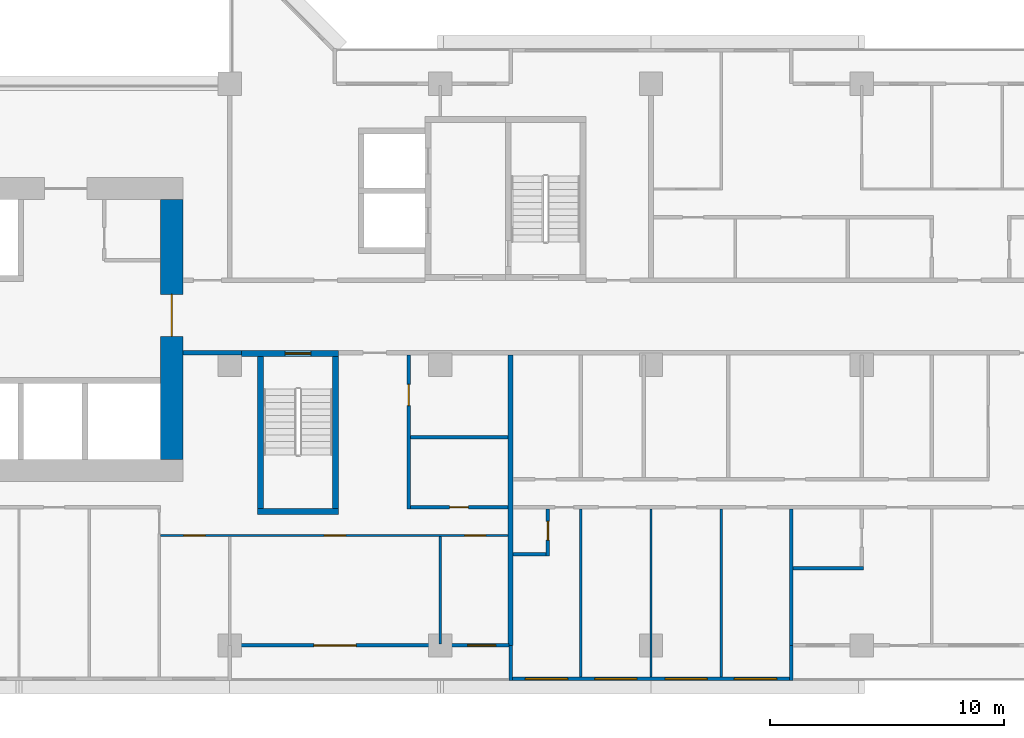
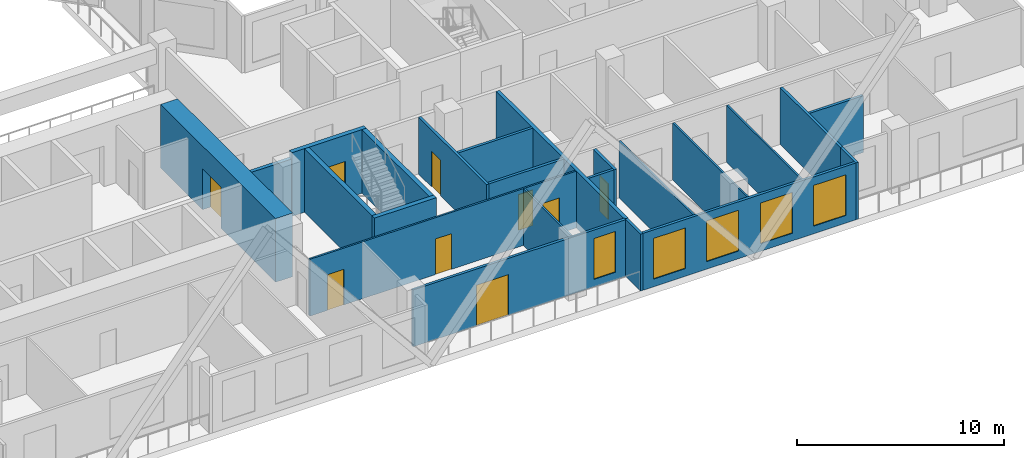
# One storey, part 6 of 15: 23 walls, 9 doors, 5 windows, 14 openings.
"""IFC4 building model written with IfcOpenShell, lengths in metres."""

from ifc_helpers import new_model, si_unit, direction, frame, frame_2d, origin, place, context, subcontext, project, spatial, rectangle, extrude, material, layer, layer_set, type_object, element, fill, save


model = new_model("IFC4")

# Units and contexts
model_context = context("Model", 3, precision=1e-05, world=origin(), true_north=direction((0.0, 1.0)))
body_context = subcontext(model_context, "Body", "Model", "MODEL_VIEW")
ifc_project = project(units=[si_unit("LENGTHUNIT", "METRE"), si_unit("AREAUNIT", "SQUARE_METRE"), si_unit("VOLUMEUNIT", "CUBIC_METRE"), si_unit("PLANEANGLEUNIT", "RADIAN"), si_unit("MASSUNIT", "GRAM", prefix="KILO")], contexts=[model_context])

# Site, building, storey
site_placement = place(None, origin())
site = spatial("IfcSite", under=ifc_project, at=site_placement, CompositionType="ELEMENT")
building_placement = place(site_placement, origin())
building = spatial("IfcBuilding", under=site, at=building_placement, Name="Chenar Terraces", CompositionType="ELEMENT")
storey_placement = place(building_placement, frame((0.0, 0.0, 129.39990234375)))
storey = spatial("IfcBuildingStorey", under=building, at=storey_placement, Name="L30", CompositionType="ELEMENT", Elevation=129.39990234375)

# Wall
ifc_material_1 = material(Name="Concrete C70/85", Category="concrete")
ifc_layer_1 = layer(ifc_material_1, 0.25)
ifc_layer_set_1 = layer_set([ifc_layer_1], Name="Concrete C70/85")
wall_type_1 = type_object("IfcWallType", Name="Core wall 250 Concrete C70/85", PredefinedType="SHEAR", material=ifc_layer_set_1)
wall_1_placement = place(storey_placement, frame((37.199951171875, 5.72509765625, 0.0), z_axis=(0.0, 0.0, 1.0), x_axis=(1.0, 0.0, 0.0)))
element("IfcWall", 1, at=wall_1_placement, inside=storey, type_object=wall_type_1, Name="Core wall ST2_S L30", PredefinedType="SHEAR", context=body_context, shape_type="SweptSolid", body=[
    extrude(rectangle(XDim=3.449951171875, YDim=0.25, at=frame_2d((1.72509765625, 0.0))), origin(), (0.0, 0.0, 1.0), 3.75),
])

# Wall, opening, door
wall_2_placement = place(storey_placement, frame((36.5, 12.47509765625, 0.0), z_axis=(0.0, 0.0, 1.0), x_axis=(1.0, 0.0, 0.0)))
wall_2 = element("IfcWall", 2, at=wall_2_placement, inside=storey, type_object=wall_type_1, Name="Core wall ST2_N L30", PredefinedType="SHEAR", context=body_context, shape_type="SweptSolid", body=[
    extrude(rectangle(XDim=4.14990234375, YDim=0.25, at=frame_2d((2.074951171875, 0.0))), origin(), (0.0, 0.0, 1.0), 3.75),
])
opening_1_placement = place(wall_2_placement, frame((1.875, 0.0, 0.0)))
opening_1 = element("IfcOpeningElement", 3, at=opening_1_placement, cuts=wall_2, Name="Opening DL30-C7", PredefinedType="OPENING", context=body_context, shape_type="SweptSolid", body=[
    extrude(rectangle(XDim=1.10009765625, YDim=2.199951171875, at=frame_2d((0.550048828125, 1.10009765625))), frame((0.0, 0.135009765625, 0.0), z_axis=(0.0, -1.0, 0.0), x_axis=(1.0, 0.0, 0.0)), (0.0, 0.0, 1.0), 0.27001953125),
])
ifc_material_2 = material(Name="Steel-framed fire-resisting door leaf", Category="steel")
door_type_1 = type_object("IfcDoorType", Name="Stair fire door FD60 1100 x 2200", OperationType="SINGLE_SWING_LEFT", PredefinedType="DOOR", material=ifc_material_2)
door_1_placement = place(opening_1_placement, frame((1.10009765625, 0.0, 0.0), z_axis=(0.0, 0.0, 1.0), x_axis=(-1.0, 0.0, 0.0)))
door_1 = element("IfcDoor", 4, at=door_1_placement, inside=storey, type_object=door_type_1, Name="Stair door DL30-C7", OperationType="SINGLE_SWING_RIGHT", OverallHeight=2.199951171875, OverallWidth=1.10009765625, PredefinedType="DOOR", context=body_context, shape_type="SweptSolid", body=[
    extrude(rectangle(XDim=1.10009765625, YDim=2.199951171875, at=frame_2d((0.550048828125, 1.10009765625))), frame((0.0, 0.02490234375, 0.0), z_axis=(0.0, -1.0, 0.0), x_axis=(1.0, 0.0, 0.0)), (0.0, 0.0, 1.0), 0.050048828125),
])
fill(opening_1, door_1)

# Walls
for number, where, z_axis, x_axis, name in (
    (5, (37.324951171875, 5.85009765625, 0.0), (0.0, 0.0, 1.0), (0.0, 1.0, 0.0), "Core wall ST2_W L30"),
    (6, (40.52490234375, 5.85009765625, 0.0), (0.0, 0.0, 1.0), (0.0, 1.0, 0.0), "Core wall ST2_E L30"),
):
    element("IfcWall", number, at=place(storey_placement, frame(where, z_axis=z_axis, x_axis=x_axis)), inside=storey, type_object=wall_type_1, Name=name, PredefinedType="SHEAR", context=body_context, shape_type="SweptSolid", body=[
        extrude(rectangle(XDim=6.5, YDim=0.25, at=frame_2d((3.25, 0.0))), origin(), (0.0, 0.0, 1.0), 3.75),
    ])

# Wall, opening, door
ifc_material_3 = material(Name="Concrete C70/85", Category="concrete")
ifc_layer_2 = layer(ifc_material_3, 0.949951171875)
ifc_layer_set_2 = layer_set([ifc_layer_2], Name="Concrete C70/85")
wall_type_2 = type_object("IfcWallType", Name="Core wall 950 Concrete C70/85", PredefinedType="SHEAR", material=ifc_layer_set_2)
wall_3_placement = place(storey_placement, frame((33.52490234375, 7.949951171875, 0.0), z_axis=(0.0, 0.0, 1.0), x_axis=(0.0, 1.0, 0.0)))
wall_3 = element("IfcWall", 7, at=wall_3_placement, inside=storey, type_object=wall_type_2, Name="Core wall E L30", PredefinedType="SHEAR", context=body_context, shape_type="SweptSolid", body=[
    extrude(rectangle(XDim=11.10009765625, YDim=0.949951171875, at=frame_2d((5.550048828125, 0.0))), origin(), (0.0, 0.0, 1.0), 3.75),
])
opening_2_placement = place(wall_3_placement, frame((5.25, 0.0, 0.0)))
opening_2 = element("IfcOpeningElement", 8, at=opening_2_placement, cuts=wall_3, Name="Opening DL30-C1", PredefinedType="OPENING", context=body_context, shape_type="SweptSolid", body=[
    extrude(rectangle(XDim=1.800048828125, YDim=2.39990234375, at=frame_2d((0.89990234375, 1.199951171875))), frame((0.0, 0.48486328125, 0.0), z_axis=(0.0, -1.0, 0.0), x_axis=(1.0, 0.0, 0.0)), (0.0, 0.0, 1.0), 0.969970703125),
])
ifc_material_4 = material(Name="Steel-framed fire-resisting door leaf", Category="steel")
door_type_2 = type_object("IfcDoorType", Name="Core entrance double fire door FD60 1800 x 2400", OperationType="DOUBLE_DOOR_SINGLE_SWING", PredefinedType="DOOR", material=ifc_material_4)
door_2_placement = place(opening_2_placement, origin())
door_2 = element("IfcDoor", 9, at=door_2_placement, inside=storey, type_object=door_type_2, Name="Core door DL30-C1", OperationType="DOUBLE_DOOR_SINGLE_SWING", OverallHeight=2.39990234375, OverallWidth=1.800048828125, PredefinedType="DOOR", context=body_context, shape_type="SweptSolid", body=[
    extrude(rectangle(XDim=1.800048828125, YDim=2.39990234375, at=frame_2d((0.89990234375, 1.199951171875))), frame((0.0, 0.02490234375, 0.0), z_axis=(0.0, -1.0, 0.0), x_axis=(1.0, 0.0, 0.0)), (0.0, 0.0, 1.0), 0.050048828125),
])
fill(opening_2, door_2)

# Wall
ifc_material_5 = material(Name="Gypsum board on steel studs with fire boards", Category="steel")
ifc_layer_3 = layer(ifc_material_5, 0.199951171875)
ifc_layer_set_3 = layer_set([ifc_layer_3], Name="Gypsum board on steel studs with fire boards")
wall_type_3 = type_object("IfcWallType", Name="Corridor wall 200", PredefinedType="PARTITIONING", material=ifc_layer_set_3)
wall_4_placement = place(storey_placement, frame((34.0, 12.5, 0.0), z_axis=(0.0, 0.0, 1.0), x_axis=(1.0, 0.0, 0.0)))
element("IfcWall", 10, at=wall_4_placement, inside=storey, type_object=wall_type_3, Name="Partition L30-062", PredefinedType="PARTITIONING", context=body_context, shape_type="SweptSolid", body=[
    extrude(rectangle(XDim=2.5009765625, YDim=0.199951171875, at=frame_2d((1.25048828125, 0.0))), origin(), (0.0, 0.0, 1.0), 3.35009765625),
])

# Wall, openings, windows
ifc_material_6 = material(Name="Aluminium framed glazing", Category="aluminium")
ifc_layer_4 = layer(ifc_material_6, 0.14990234375)
ifc_layer_set_4 = layer_set([ifc_layer_4], Name="Aluminium framed glazing")
wall_type_4 = type_object("IfcWallType", Name="Glazed flush facade wall 150", PredefinedType="SOLIDWALL", material=ifc_layer_set_4)
wall_5_placement = place(storey_placement, frame((48.074951171875, -1.425048828125, 0.0), z_axis=(0.0, 0.0, 1.0), x_axis=(1.0, 0.0, 0.0)))
wall_5 = element("IfcWall", 11, at=wall_5_placement, inside=storey, type_object=wall_type_4, Name="Glazed flush facade wall", PredefinedType="SOLIDWALL", context=body_context, shape_type="SweptSolid", body=[
    extrude(rectangle(XDim=11.85009765625, YDim=0.14990234375, at=frame_2d((5.925048828125, 0.0))), origin(), (0.0, 0.0, 1.0), 3.35009765625),
])
opening_3_placement = place(wall_5_placement, frame((0.5625, 0.0, 0.449951171875)))
opening_3 = element("IfcOpeningElement", 12, at=opening_3_placement, cuts=wall_5, Name="Opening W180x240", PredefinedType="OPENING", context=body_context, shape_type="SweptSolid", body=[
    extrude(rectangle(XDim=1.800048828125, YDim=2.39990234375, at=frame_2d((0.89990234375, 1.199951171875))), frame((0.0, 0.0849609375, 0.0), z_axis=(0.0, -1.0, 0.0), x_axis=(1.0, 0.0, 0.0)), (0.0, 0.0, 1.0), 0.169921875),
])
opening_4_placement = place(wall_5_placement, frame((3.52490234375, 0.0, 0.449951171875)))
opening_4 = element("IfcOpeningElement", 13, at=opening_4_placement, cuts=wall_5, Name="Opening W180x240", PredefinedType="OPENING", context=body_context, shape_type="SweptSolid", body=[
    extrude(rectangle(XDim=1.800048828125, YDim=2.39990234375, at=frame_2d((0.89990234375, 1.199951171875))), frame((0.0, 0.0849609375, 0.0), z_axis=(0.0, -1.0, 0.0), x_axis=(1.0, 0.0, 0.0)), (0.0, 0.0, 1.0), 0.169921875),
])
opening_5_placement = place(wall_5_placement, frame((6.52490234375, 0.0, 0.449951171875)))
opening_5 = element("IfcOpeningElement", 14, at=opening_5_placement, cuts=wall_5, Name="Opening W180x240", PredefinedType="OPENING", context=body_context, shape_type="SweptSolid", body=[
    extrude(rectangle(XDim=1.800048828125, YDim=2.39990234375, at=frame_2d((0.89990234375, 1.199951171875))), frame((0.0, 0.0849609375, 0.0), z_axis=(0.0, -1.0, 0.0), x_axis=(1.0, 0.0, 0.0)), (0.0, 0.0, 1.0), 0.169921875),
])
opening_6_placement = place(wall_5_placement, frame((9.487548828125, 0.0, 0.449951171875)))
opening_6 = element("IfcOpeningElement", 15, at=opening_6_placement, cuts=wall_5, Name="Opening W180x240", PredefinedType="OPENING", context=body_context, shape_type="SweptSolid", body=[
    extrude(rectangle(XDim=1.800048828125, YDim=2.39990234375, at=frame_2d((0.89990234375, 1.199951171875))), frame((0.0, 0.0849609375, 0.0), z_axis=(0.0, -1.0, 0.0), x_axis=(1.0, 0.0, 0.0)), (0.0, 0.0, 1.0), 0.169921875),
])
ifc_material_7 = material(Name="Low emissivity double glazing, aluminium frame", Category="aluminium")
window_type_1 = type_object("IfcWindowType", Name="Fixed light 1800 x 2400", PartitioningType="SINGLE_PANEL", PredefinedType="WINDOW", material=ifc_material_7)
window_1_placement = place(opening_3_placement, origin())
window_1 = element("IfcWindow", 16, at=window_1_placement, inside=storey, type_object=window_type_1, Name="Window", OverallHeight=2.39990234375, OverallWidth=1.800048828125, PartitioningType="SINGLE_PANEL", PredefinedType="WINDOW", context=body_context, shape_type="SweptSolid", body=[
    extrude(rectangle(XDim=1.800048828125, YDim=2.39990234375, at=frame_2d((0.89990234375, 1.199951171875))), frame((0.0, 0.030029296875, 0.0), z_axis=(0.0, -1.0, 0.0), x_axis=(1.0, 0.0, 0.0)), (0.0, 0.0, 1.0), 0.06005859375),
])
fill(opening_3, window_1)
window_2_placement = place(opening_4_placement, origin())
window_2 = element("IfcWindow", 17, at=window_2_placement, inside=storey, type_object=window_type_1, Name="Window", OverallHeight=2.39990234375, OverallWidth=1.800048828125, PartitioningType="SINGLE_PANEL", PredefinedType="WINDOW", context=body_context, shape_type="SweptSolid", body=[
    extrude(rectangle(XDim=1.800048828125, YDim=2.39990234375, at=frame_2d((0.89990234375, 1.199951171875))), frame((0.0, 0.030029296875, 0.0), z_axis=(0.0, -1.0, 0.0), x_axis=(1.0, 0.0, 0.0)), (0.0, 0.0, 1.0), 0.06005859375),
])
fill(opening_4, window_2)
window_3_placement = place(opening_5_placement, origin())
window_3 = element("IfcWindow", 18, at=window_3_placement, inside=storey, type_object=window_type_1, Name="Window", OverallHeight=2.39990234375, OverallWidth=1.800048828125, PartitioningType="SINGLE_PANEL", PredefinedType="WINDOW", context=body_context, shape_type="SweptSolid", body=[
    extrude(rectangle(XDim=1.800048828125, YDim=2.39990234375, at=frame_2d((0.89990234375, 1.199951171875))), frame((0.0, 0.030029296875, 0.0), z_axis=(0.0, -1.0, 0.0), x_axis=(1.0, 0.0, 0.0)), (0.0, 0.0, 1.0), 0.06005859375),
])
fill(opening_5, window_3)
window_4_placement = place(opening_6_placement, origin())
window_4 = element("IfcWindow", 19, at=window_4_placement, inside=storey, type_object=window_type_1, Name="Window", OverallHeight=2.39990234375, OverallWidth=1.800048828125, PartitioningType="SINGLE_PANEL", PredefinedType="WINDOW", context=body_context, shape_type="SweptSolid", body=[
    extrude(rectangle(XDim=1.800048828125, YDim=2.39990234375, at=frame_2d((0.89990234375, 1.199951171875))), frame((0.0, 0.030029296875, 0.0), z_axis=(0.0, -1.0, 0.0), x_axis=(1.0, 0.0, 0.0)), (0.0, 0.0, 1.0), 0.06005859375),
])
fill(opening_6, window_4)

# Wall, openings, window, door
ifc_material_8 = material(Name="Aluminium framed glazing", Category="aluminium")
ifc_layer_5 = layer(ifc_material_8, 0.14990234375)
ifc_layer_set_5 = layer_set([ifc_layer_5], Name="Aluminium framed glazing")
wall_type_5 = type_object("IfcWallType", Name="Glazed loggia back wall 150", PredefinedType="SOLIDWALL", material=ifc_layer_set_5)
wall_6_placement = place(storey_placement, frame((36.074951171875, 0.0, 0.0), z_axis=(0.0, 0.0, 1.0), x_axis=(1.0, 0.0, 0.0)))
wall_6 = element("IfcWall", 20, at=wall_6_placement, inside=storey, type_object=wall_type_5, Name="Glazed loggia back wall", PredefinedType="SOLIDWALL", context=body_context, shape_type="SweptSolid", body=[
    extrude(rectangle(XDim=11.85009765625, YDim=0.14990234375, at=frame_2d((5.925048828125, 0.0))), origin(), (0.0, 0.0, 1.0), 3.35009765625),
])
opening_7_placement = place(wall_6_placement, frame((3.52490234375, 0.0, 0.0)))
opening_7 = element("IfcOpeningElement", 21, at=opening_7_placement, cuts=wall_6, Name="Opening DL30-G6", PredefinedType="OPENING", context=body_context, shape_type="SweptSolid", body=[
    extrude(rectangle(XDim=1.800048828125, YDim=2.39990234375, at=frame_2d((0.89990234375, 1.199951171875))), frame((0.0, 0.0849609375, 0.0), z_axis=(0.0, -1.0, 0.0), x_axis=(1.0, 0.0, 0.0)), (0.0, 0.0, 1.0), 0.169921875),
])
opening_8_placement = place(wall_6_placement, frame((10.08740234375, 0.0, 0.449951171875)))
opening_8 = element("IfcOpeningElement", 22, at=opening_8_placement, cuts=wall_6, Name="Opening W120x240", PredefinedType="OPENING", context=body_context, shape_type="SweptSolid", body=[
    extrude(rectangle(XDim=1.199951171875, YDim=2.39990234375, at=frame_2d((0.60009765625, 1.199951171875))), frame((0.0, 0.0849609375, 0.0), z_axis=(0.0, -1.0, 0.0), x_axis=(1.0, 0.0, 0.0)), (0.0, 0.0, 1.0), 0.169921875),
])
ifc_material_9 = material(Name="Low emissivity double glazing, aluminium frame", Category="aluminium")
window_type_2 = type_object("IfcWindowType", Name="Fixed light 1200 x 2400", PartitioningType="SINGLE_PANEL", PredefinedType="WINDOW", material=ifc_material_9)
window_5_placement = place(opening_8_placement, origin())
window_5 = element("IfcWindow", 23, at=window_5_placement, inside=storey, type_object=window_type_2, Name="Window", OverallHeight=2.39990234375, OverallWidth=1.199951171875, PartitioningType="SINGLE_PANEL", PredefinedType="WINDOW", context=body_context, shape_type="SweptSolid", body=[
    extrude(rectangle(XDim=1.199951171875, YDim=2.39990234375, at=frame_2d((0.60009765625, 1.199951171875))), frame((0.0, 0.030029296875, 0.0), z_axis=(0.0, -1.0, 0.0), x_axis=(1.0, 0.0, 0.0)), (0.0, 0.0, 1.0), 0.06005859375),
])
fill(opening_8, window_5)
ifc_material_10 = material(Name="Low emissivity double glazing, aluminium frame", Category="aluminium")
door_type_3 = type_object("IfcDoorType", Name="Loggia glazed double door 1800 x 2400", OperationType="DOUBLE_DOOR_SINGLE_SWING", PredefinedType="DOOR", material=ifc_material_10)
door_3_placement = place(opening_7_placement, frame((1.800048828125, 0.0, 0.0), z_axis=(0.0, 0.0, 1.0), x_axis=(-1.0, 0.0, 0.0)))
door_3 = element("IfcDoor", 24, at=door_3_placement, inside=storey, type_object=door_type_3, Name="Loggia glazed door", OperationType="DOUBLE_DOOR_SINGLE_SWING", OverallHeight=2.39990234375, OverallWidth=1.800048828125, PredefinedType="DOOR", context=body_context, shape_type="SweptSolid", body=[
    extrude(rectangle(XDim=1.800048828125, YDim=2.39990234375, at=frame_2d((0.89990234375, 1.199951171875))), frame((0.0, 0.02490234375, 0.0), z_axis=(0.0, -1.0, 0.0), x_axis=(1.0, 0.0, 0.0)), (0.0, 0.0, 1.0), 0.050048828125),
])
fill(opening_7, door_3)

# Wall, openings, doors
ifc_material_11 = material(Name="Gypsum board on steel studs", Category="steel")
ifc_layer_6 = layer(ifc_material_11, 0.10009765625)
ifc_layer_set_6 = layer_set([ifc_layer_6], Name="Gypsum board on steel studs")
wall_type_6 = type_object("IfcWallType", Name="Gypsum partition 100", PredefinedType="PARTITIONING", material=ifc_layer_set_6)
wall_7_placement = place(storey_placement, frame((33.050048828125, 4.699951171875, 0.0), z_axis=(0.0, 0.0, 1.0), x_axis=(1.0, 0.0, 0.0)))
wall_7 = element("IfcWall", 25, at=wall_7_placement, inside=storey, type_object=wall_type_6, Name="Partition L30-061", PredefinedType="PARTITIONING", context=body_context, shape_type="SweptSolid", body=[
    extrude(rectangle(XDim=14.849853515625, YDim=0.10009765625, at=frame_2d((7.4248046875, 0.0))), origin(), (0.0, 0.0, 1.0), 3.35009765625),
])
opening_9_placement = place(wall_7_placement, frame((1.0, 0.0, 0.0)))
opening_9 = element("IfcOpeningElement", 26, at=opening_9_placement, cuts=wall_7, Name="Opening DL30-58", PredefinedType="OPENING", context=body_context, shape_type="SweptSolid", body=[
    extrude(rectangle(XDim=0.89990234375, YDim=2.10009765625, at=frame_2d((0.449951171875, 1.050048828125))), frame((0.0, 0.06005859375, 0.0), z_axis=(0.0, -1.0, 0.0), x_axis=(1.0, 0.0, 0.0)), (0.0, 0.0, 1.0), 0.1201171875),
])
opening_10_placement = place(wall_7_placement, frame((13.0, 0.0, 0.0)))
opening_10 = element("IfcOpeningElement", 27, at=opening_10_placement, cuts=wall_7, Name="Opening DL30-59", PredefinedType="OPENING", context=body_context, shape_type="SweptSolid", body=[
    extrude(rectangle(XDim=0.89990234375, YDim=2.10009765625, at=frame_2d((0.449951171875, 1.050048828125))), frame((0.0, 0.06005859375, 0.0), z_axis=(0.0, -1.0, 0.0), x_axis=(1.0, 0.0, 0.0)), (0.0, 0.0, 1.0), 0.1201171875),
])
opening_11_placement = place(wall_7_placement, frame((7.0, 0.0, 0.0)))
opening_11 = element("IfcOpeningElement", 28, at=opening_11_placement, cuts=wall_7, Name="Opening DL30-67", PredefinedType="OPENING", context=body_context, shape_type="SweptSolid", body=[
    extrude(rectangle(XDim=0.89990234375, YDim=2.10009765625, at=frame_2d((0.449951171875, 1.050048828125))), frame((0.0, 0.06005859375, 0.0), z_axis=(0.0, -1.0, 0.0), x_axis=(1.0, 0.0, 0.0)), (0.0, 0.0, 1.0), 0.1201171875),
])
ifc_material_12 = material(Name="Veneered timber door leaf", Category="wood")
door_type_4 = type_object("IfcDoorType", Name="Door 900 x 2100", OperationType="SINGLE_SWING_LEFT", PredefinedType="DOOR", material=ifc_material_12)
door_4_placement = place(opening_9_placement, frame((0.89990234375, 0.0, 0.0), z_axis=(0.0, 0.0, 1.0), x_axis=(-1.0, 0.0, 0.0)))
door_4 = element("IfcDoor", 29, at=door_4_placement, inside=storey, type_object=door_type_4, Name="Door DL30-58", OperationType="SINGLE_SWING_LEFT", OverallHeight=2.10009765625, OverallWidth=0.89990234375, PredefinedType="DOOR", context=body_context, shape_type="SweptSolid", body=[
    extrude(rectangle(XDim=0.89990234375, YDim=2.10009765625, at=frame_2d((0.449951171875, 1.050048828125))), frame((0.0, 0.02490234375, 0.0), z_axis=(0.0, -1.0, 0.0), x_axis=(1.0, 0.0, 0.0)), (0.0, 0.0, 1.0), 0.050048828125),
])
fill(opening_9, door_4)
door_5_placement = place(opening_10_placement, frame((0.89990234375, 0.0, 0.0), z_axis=(0.0, 0.0, 1.0), x_axis=(-1.0, 0.0, 0.0)))
door_5 = element("IfcDoor", 30, at=door_5_placement, inside=storey, type_object=door_type_4, Name="Door DL30-59", OperationType="SINGLE_SWING_LEFT", OverallHeight=2.10009765625, OverallWidth=0.89990234375, PredefinedType="DOOR", context=body_context, shape_type="SweptSolid", body=[
    extrude(rectangle(XDim=0.89990234375, YDim=2.10009765625, at=frame_2d((0.449951171875, 1.050048828125))), frame((0.0, 0.02490234375, 0.0), z_axis=(0.0, -1.0, 0.0), x_axis=(1.0, 0.0, 0.0)), (0.0, 0.0, 1.0), 0.050048828125),
])
fill(opening_10, door_5)
door_6_placement = place(opening_11_placement, frame((0.89990234375, 0.0, 0.0), z_axis=(0.0, 0.0, 1.0), x_axis=(-1.0, 0.0, 0.0)))
door_6 = element("IfcDoor", 31, at=door_6_placement, inside=storey, type_object=door_type_4, Name="Door DL30-67", OperationType="SINGLE_SWING_LEFT", OverallHeight=2.10009765625, OverallWidth=0.89990234375, PredefinedType="DOOR", context=body_context, shape_type="SweptSolid", body=[
    extrude(rectangle(XDim=0.89990234375, YDim=2.10009765625, at=frame_2d((0.449951171875, 1.050048828125))), frame((0.0, 0.02490234375, 0.0), z_axis=(0.0, -1.0, 0.0), x_axis=(1.0, 0.0, 0.0)), (0.0, 0.0, 1.0), 0.050048828125),
])
fill(opening_11, door_6)

# Walls
wall_8_placement = place(storey_placement, frame((45.0, 0.073974609375, 0.0), z_axis=(0.0, 0.0, 1.0), x_axis=(0.0, 1.0, 0.0)))
element("IfcWall", 32, at=wall_8_placement, inside=storey, type_object=wall_type_6, Name="Partition L30-070", PredefinedType="PARTITIONING", context=body_context, shape_type="SweptSolid", body=[
    extrude(rectangle(XDim=4.575927734375, YDim=0.10009765625, at=frame_2d((2.2880859375, 0.0))), origin(), (0.0, 0.0, 1.0), 3.35009765625),
])
for number, where, z_axis, x_axis, name in (
    (33, (51.0, -1.35107421875, 0.0), (0.0, 0.0, 1.0), (0.0, 1.0, 0.0), "Partition L30-077"),
    (34, (54.0, -1.35107421875, 0.0), (0.0, 0.0, 1.0), (0.0, 1.0, 0.0), "Partition L30-081"),
    (35, (57.0, -1.35107421875, 0.0), (0.0, 0.0, 1.0), (0.0, 1.0, 0.0), "Partition L30-085"),
):
    element("IfcWall", number, at=place(storey_placement, frame(where, z_axis=z_axis, x_axis=x_axis)), inside=storey, type_object=wall_type_6, Name=name, PredefinedType="PARTITIONING", context=body_context, shape_type="SweptSolid", body=[
        extrude(rectangle(XDim=7.176025390625, YDim=0.10009765625, at=frame_2d((3.587890625, 0.0))), origin(), (0.0, 0.0, 1.0), 3.35009765625),
    ])
ifc_material_13 = material(Name="Terracotta cladding on insulated backing", Category="masonry")
ifc_layer_7 = layer(ifc_material_13, 0.14990234375)
ifc_layer_set_7 = layer_set([ifc_layer_7], Name="Terracotta cladding on insulated backing")
wall_type_7 = type_object("IfcWallType", Name="Loggia return wall 150", PredefinedType="SOLIDWALL", material=ifc_layer_set_7)
for number, where, z_axis, x_axis, name in (
    (36, (48.0, -1.5, 0.0), (0.0, 0.0, 1.0), (0.0, 1.0, 0.0), "Loggia return wall"),
    (37, (60.0, -1.5, 0.0), (0.0, 0.0, 1.0), (0.0, 1.0, 0.0), "Loggia return wall"),
):
    element("IfcWall", number, at=place(storey_placement, frame(where, z_axis=z_axis, x_axis=x_axis)), inside=storey, type_object=wall_type_7, Name=name, PredefinedType="SOLIDWALL", context=body_context, shape_type="SweptSolid", body=[
        extrude(rectangle(XDim=1.5, YDim=0.14990234375, at=frame_2d((0.75, 0.0))), origin(), (0.0, 0.0, 1.0), 3.35009765625),
    ])
ifc_material_14 = material(Name="Twin gypsum board on steel studs with mineral wool", Category="steel")
ifc_layer_8 = layer(ifc_material_14, 0.199951171875)
ifc_layer_set_8 = layer_set([ifc_layer_8], Name="Twin gypsum board on steel studs with mineral wool")
wall_type_8 = type_object("IfcWallType", Name="Unit demising wall 200", PredefinedType="PARTITIONING", material=ifc_layer_set_8)
wall_9_placement = place(storey_placement, frame((48.0, 0.0, 0.0), z_axis=(0.0, 0.0, 1.0), x_axis=(0.0, 1.0, 0.0)))
element("IfcWall", 38, at=wall_9_placement, inside=storey, type_object=wall_type_8, Name="Partition L30-072", PredefinedType="PARTITIONING", context=body_context, shape_type="SweptSolid", body=[
    extrude(rectangle(XDim=12.39990234375, YDim=0.199951171875, at=frame_2d((6.199951171875, 0.0))), origin(), (0.0, 0.0, 1.0), 3.35009765625),
])

# Wall, opening, door
ifc_material_15 = material(Name="Moisture-resistant gypsum board on steel studs", Category="steel")
ifc_layer_9 = layer(ifc_material_15, 0.14990234375)
ifc_layer_set_9 = layer_set([ifc_layer_9], Name="Moisture-resistant gypsum board on steel studs")
wall_type_9 = type_object("IfcWallType", Name="Wet-room partition 150", PredefinedType="PARTITIONING", material=ifc_layer_set_9)
wall_10_placement = place(storey_placement, frame((43.64990234375, 5.824951171875, 0.0), z_axis=(0.0, 0.0, 1.0), x_axis=(0.0, 1.0, 0.0)))
wall_10 = element("IfcWall", 39, at=wall_10_placement, inside=storey, type_object=wall_type_9, Name="Partition L30-067", PredefinedType="PARTITIONING", context=body_context, shape_type="SweptSolid", body=[
    extrude(rectangle(XDim=6.574951171875, YDim=0.14990234375, at=frame_2d((3.28759765625, 0.0))), origin(), (0.0, 0.0, 1.0), 3.35009765625),
])
opening_12_placement = place(wall_10_placement, frame((4.425048828125, 0.0, 0.0)))
opening_12 = element("IfcOpeningElement", 40, at=opening_12_placement, cuts=wall_10, Name="Opening DL30-65", PredefinedType="OPENING", context=body_context, shape_type="SweptSolid", body=[
    extrude(rectangle(XDim=0.89990234375, YDim=2.10009765625, at=frame_2d((0.449951171875, 1.050048828125))), frame((0.0, 0.0849609375, 0.0), z_axis=(0.0, -1.0, 0.0), x_axis=(1.0, 0.0, 0.0)), (0.0, 0.0, 1.0), 0.169921875),
])
door_7_placement = place(opening_12_placement, frame((0.89990234375, 0.0, 0.0), z_axis=(0.0, 0.0, 1.0), x_axis=(-1.0, 0.0, 0.0)))
door_7 = element("IfcDoor", 41, at=door_7_placement, inside=storey, type_object=door_type_4, Name="Door DL30-65", OperationType="SINGLE_SWING_LEFT", OverallHeight=2.10009765625, OverallWidth=0.89990234375, PredefinedType="DOOR", context=body_context, shape_type="SweptSolid", body=[
    extrude(rectangle(XDim=0.89990234375, YDim=2.10009765625, at=frame_2d((0.449951171875, 1.050048828125))), frame((0.0, 0.02490234375, 0.0), z_axis=(0.0, -1.0, 0.0), x_axis=(1.0, 0.0, 0.0)), (0.0, 0.0, 1.0), 0.050048828125),
])
fill(opening_12, door_7)

wall_11_placement = place(storey_placement, frame((43.72509765625, 5.89990234375, 0.0), z_axis=(0.0, 0.0, 1.0), x_axis=(1.0, 0.0, 0.0)))
wall_11 = element("IfcWall", 42, at=wall_11_placement, inside=storey, type_object=wall_type_9, Name="Partition L30-068", PredefinedType="PARTITIONING", context=body_context, shape_type="SweptSolid", body=[
    extrude(rectangle(XDim=4.1748046875, YDim=0.14990234375, at=frame_2d((2.08740234375, 0.0))), origin(), (0.0, 0.0, 1.0), 3.35009765625),
])
opening_13_placement = place(wall_11_placement, frame((1.675048828125, 0.0, 0.0)))
opening_13 = element("IfcOpeningElement", 43, at=opening_13_placement, cuts=wall_11, Name="Opening DL30-55", PredefinedType="OPENING", context=body_context, shape_type="SweptSolid", body=[
    extrude(rectangle(XDim=0.800048828125, YDim=2.10009765625, at=frame_2d((0.39990234375, 1.050048828125))), frame((0.0, 0.0849609375, 0.0), z_axis=(0.0, -1.0, 0.0), x_axis=(1.0, 0.0, 0.0)), (0.0, 0.0, 1.0), 0.169921875),
])
ifc_material_16 = material(Name="Veneered timber door leaf", Category="wood")
door_type_5 = type_object("IfcDoorType", Name="Door 800 x 2100", OperationType="SINGLE_SWING_LEFT", PredefinedType="DOOR", material=ifc_material_16)
door_8_placement = place(opening_13_placement, origin())
door_8 = element("IfcDoor", 44, at=door_8_placement, inside=storey, type_object=door_type_5, Name="Door DL30-55", OperationType="SINGLE_SWING_LEFT", OverallHeight=2.10009765625, OverallWidth=0.800048828125, PredefinedType="DOOR", context=body_context, shape_type="SweptSolid", body=[
    extrude(rectangle(XDim=0.800048828125, YDim=2.10009765625, at=frame_2d((0.39990234375, 1.050048828125))), frame((0.0, 0.02490234375, 0.0), z_axis=(0.0, -1.0, 0.0), x_axis=(1.0, 0.0, 0.0)), (0.0, 0.0, 1.0), 0.050048828125),
])
fill(opening_13, door_8)

# Walls
wall_12_placement = place(storey_placement, frame((43.72509765625, 8.89990234375, 0.0), z_axis=(0.0, 0.0, 1.0), x_axis=(1.0, 0.0, 0.0)))
element("IfcWall", 45, at=wall_12_placement, inside=storey, type_object=wall_type_9, Name="Partition L30-069", PredefinedType="PARTITIONING", context=body_context, shape_type="SweptSolid", body=[
    extrude(rectangle(XDim=4.1748046875, YDim=0.14990234375, at=frame_2d((2.08740234375, 0.0))), origin(), (0.0, 0.0, 1.0), 3.35009765625),
])
wall_13_placement = place(storey_placement, frame((48.10009765625, 3.89990234375, 0.0), z_axis=(0.0, 0.0, 1.0), x_axis=(1.0, 0.0, 0.0)))
element("IfcWall", 46, at=wall_13_placement, inside=storey, type_object=wall_type_9, Name="Partition L30-073", PredefinedType="PARTITIONING", context=body_context, shape_type="SweptSolid", body=[
    extrude(rectangle(XDim=1.4248046875, YDim=0.14990234375, at=frame_2d((0.71240234375, 0.0))), origin(), (0.0, 0.0, 1.0), 3.35009765625),
])

# Wall, opening, door
wall_14_placement = place(storey_placement, frame((49.60009765625, 3.824951171875, 0.0), z_axis=(0.0, 0.0, 1.0), x_axis=(0.0, 1.0, 0.0)))
wall_14 = element("IfcWall", 47, at=wall_14_placement, inside=storey, type_object=wall_type_9, Name="Partition L30-076", PredefinedType="PARTITIONING", context=body_context, shape_type="SweptSolid", body=[
    extrude(rectangle(XDim=2.0, YDim=0.14990234375, at=frame_2d((1.0, 0.0))), origin(), (0.0, 0.0, 1.0), 3.35009765625),
])
opening_14_placement = place(wall_14_placement, frame((0.675048828125, 0.0, 0.0)))
opening_14 = element("IfcOpeningElement", 48, at=opening_14_placement, cuts=wall_14, Name="Opening DL30-23", PredefinedType="OPENING", context=body_context, shape_type="SweptSolid", body=[
    extrude(rectangle(XDim=0.800048828125, YDim=2.10009765625, at=frame_2d((0.39990234375, 1.050048828125))), frame((0.0, 0.0849609375, 0.0), z_axis=(0.0, -1.0, 0.0), x_axis=(1.0, 0.0, 0.0)), (0.0, 0.0, 1.0), 0.169921875),
])
door_9_placement = place(opening_14_placement, origin())
door_9 = element("IfcDoor", 49, at=door_9_placement, inside=storey, type_object=door_type_5, Name="Door DL30-23", OperationType="SINGLE_SWING_LEFT", OverallHeight=2.10009765625, OverallWidth=0.800048828125, PredefinedType="DOOR", context=body_context, shape_type="SweptSolid", body=[
    extrude(rectangle(XDim=0.800048828125, YDim=2.10009765625, at=frame_2d((0.39990234375, 1.050048828125))), frame((0.0, 0.02490234375, 0.0), z_axis=(0.0, -1.0, 0.0), x_axis=(1.0, 0.0, 0.0)), (0.0, 0.0, 1.0), 0.050048828125),
])
fill(opening_14, door_9)

# Walls
wall_15_placement = place(storey_placement, frame((60.0, 0.0, 0.0), z_axis=(0.0, 0.0, 1.0), x_axis=(0.0, 1.0, 0.0)))
element("IfcWall", 50, at=wall_15_placement, inside=storey, type_object=wall_type_9, Name="Partition L30-089", PredefinedType="PARTITIONING", context=body_context, shape_type="SweptSolid", body=[
    extrude(rectangle(XDim=5.824951171875, YDim=0.14990234375, at=frame_2d((2.91259765625, 0.0))), origin(), (0.0, 0.0, 1.0), 3.35009765625),
])
wall_16_placement = place(storey_placement, frame((60.074951171875, 3.300048828125, 0.0), z_axis=(0.0, 0.0, 1.0), x_axis=(1.0, 0.0, 0.0)))
element("IfcWall", 51, at=wall_16_placement, inside=storey, type_object=wall_type_9, Name="Partition L30-090", PredefinedType="PARTITIONING", context=body_context, shape_type="SweptSolid", body=[
    extrude(rectangle(XDim=3.0, YDim=0.14990234375, at=frame_2d((1.5, 0.0))), origin(), (0.0, 0.0, 1.0), 3.35009765625),
])

save(model, "model.ifc")
